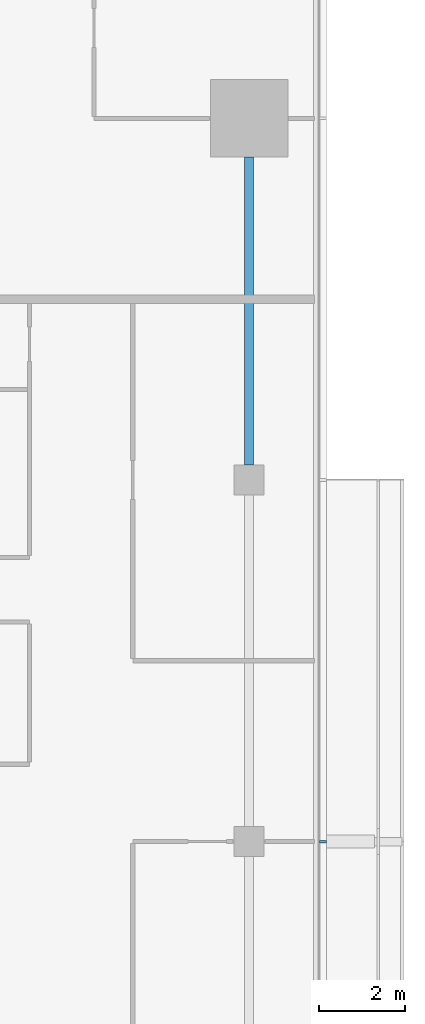
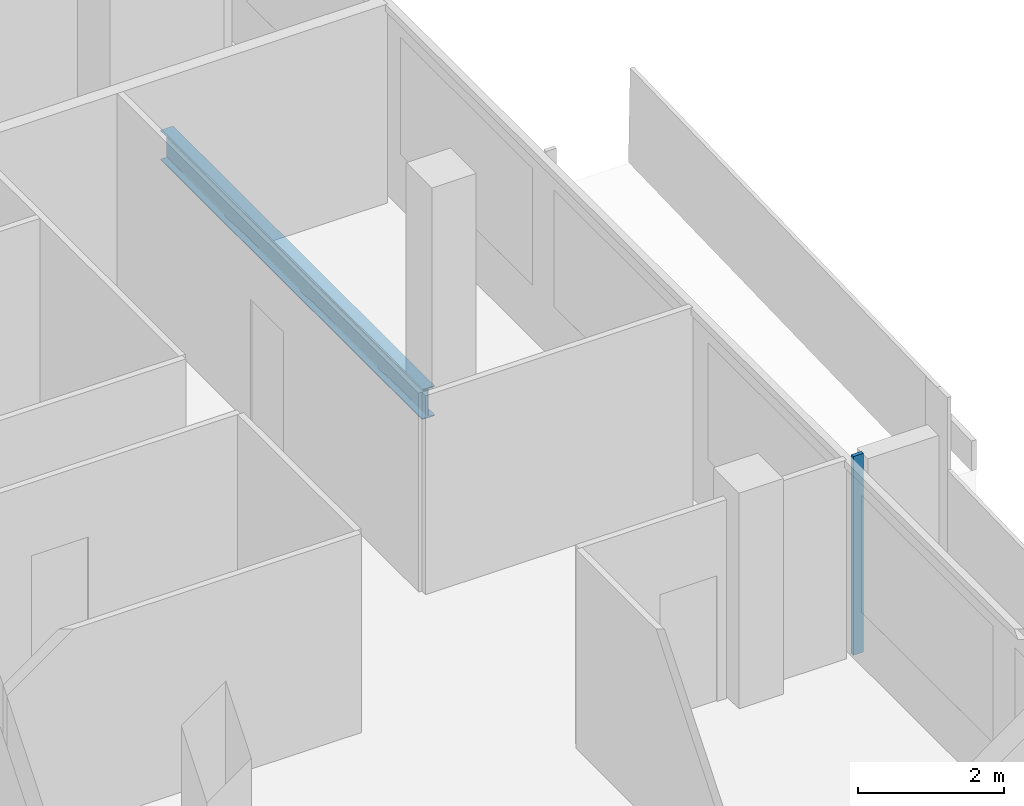
# One storey, part 11 of 27: 1 beam, 1 member, 1 element without a shape of its own.
"""IFC4 building model written with IfcOpenShell, lengths in metres."""

from ifc_helpers import new_model, si_unit, direction, frame, origin, origin_2d, place, context, subcontext, project, spatial, rectangle, i_section, extrude, material, material_profile, profile_set, type_object, element, aggregate, save


model = new_model("IFC4")

# Units and contexts
model_context = context("Model", 3, precision=1e-05, world=origin(), true_north=direction((0.0, 1.0)))
body_context = subcontext(model_context, "Body", "Model", "MODEL_VIEW")
ifc_project = project(units=[si_unit("LENGTHUNIT", "METRE"), si_unit("AREAUNIT", "SQUARE_METRE"), si_unit("VOLUMEUNIT", "CUBIC_METRE"), si_unit("PLANEANGLEUNIT", "RADIAN"), si_unit("MASSUNIT", "GRAM", prefix="KILO")], contexts=[model_context])

# Site, building, storey
site_placement = place(None, origin())
site = spatial("IfcSite", under=ifc_project, at=site_placement, CompositionType="ELEMENT")
building_placement = place(site_placement, origin())
building = spatial("IfcBuilding", under=site, at=building_placement, Name="Saffron Gate Tower", CompositionType="ELEMENT")
storey_placement = place(building_placement, frame((0.0, 0.0, 183.449951171875)))
storey = spatial("IfcBuildingStorey", under=building, at=storey_placement, Name="L45", CompositionType="ELEMENT", Elevation=183.449951171875)

# Beam
ifc_material_1 = material(Name="Structural steel S355", Category="steel")
ifc_material_profile_1 = material_profile(ifc_material_1, i_section(OverallWidth=0.199951171875, OverallDepth=0.5, WebThickness=0.01025390625, FlangeThickness=0.01611328125, FilletRadius=0.02099609375, at=origin_2d()))
ifc_profile_set_1 = profile_set([ifc_material_profile_1], Name="Structural steel S355")
beam_type = type_object("IfcBeamType", Name="B11 IPE 500", PredefinedType="SPANDREL", material=ifc_profile_set_1)
beam_placement = place(storey_placement, frame((125.39990234375, 57.35009765625, -0.530029296875), z_axis=(0.0, 1.0, 0.0), x_axis=(-1.0, 0.0, 0.0)))
element("IfcBeam", 1, at=beam_placement, inside=storey, type_object=beam_type, Name="B11 SPANDREL BEAM", PredefinedType="SPANDREL", context=body_context, shape_type="SweptSolid", body=[
    extrude(i_section(OverallWidth=0.199951171875, OverallDepth=0.5, WebThickness=0.01025390625, FlangeThickness=0.01611328125, FilletRadius=0.02099609375, at=origin_2d()), origin(), (0.0, 0.0, 1.0), 7.14990234375),
])

# Curtain wall, member
ifc_material_2 = material(Name="Aluminium, bronze anodised", Category="aluminium")
curtain_wall_type = type_object("IfcCurtainWallType", Name="CWS2 curtain wall side facades", PredefinedType="NOTDEFINED", material=ifc_material_2)
curtain_wall_placement = place(storey_placement, origin())
curtain_wall = element("IfcCurtainWall", 2, at=curtain_wall_placement, inside=storey, type_object=curtain_wall_type, Name="CWS2 run 4", PredefinedType="NOTDEFINED")
ifc_material_profile_2 = material_profile(ifc_material_2, rectangle(XDim=0.159912109375, YDim=0.06005859375, at=origin_2d()))
ifc_profile_set_2 = profile_set([ifc_material_profile_2], Name="Aluminium, bronze anodised")
member_type = type_object("IfcMemberType", Name="CWS2 mullion 60x160", PredefinedType="MULLION", material=ifc_profile_set_2)
member_placement = place(storey_placement, frame((127.1201171875, 48.60009765625, 0.0), z_axis=(0.0, 0.0, 1.0), x_axis=(-1.0, 0.0, 0.0)))
member = element("IfcMember", 3, at=member_placement, type_object=member_type, Name="CWS2 mullion 3", PredefinedType="MULLION", context=body_context, shape_type="SweptSolid", body=[
    extrude(rectangle(XDim=0.159912109375, YDim=0.06005859375, at=origin_2d()), origin(), (0.0, 0.0, 1.0), 3.320068359375),
])
aggregate(curtain_wall, [member])

save(model, "model.ifc")
